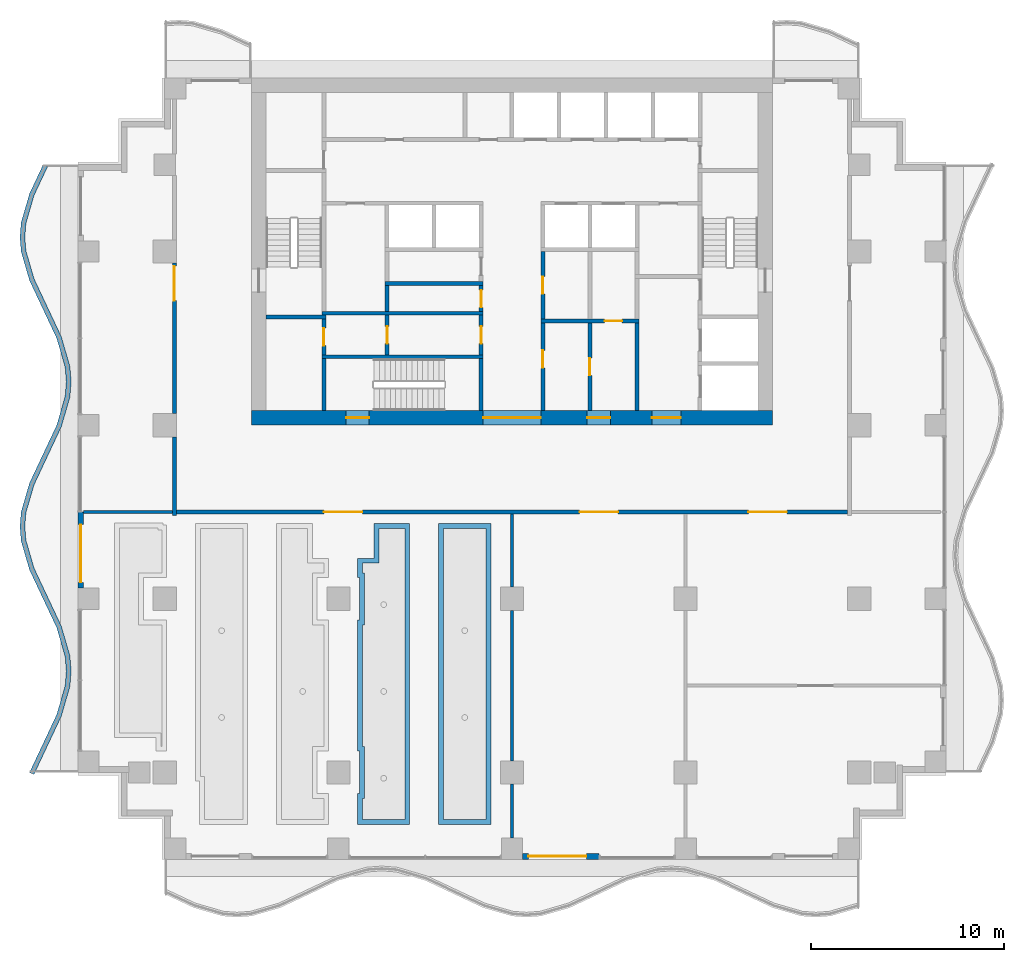
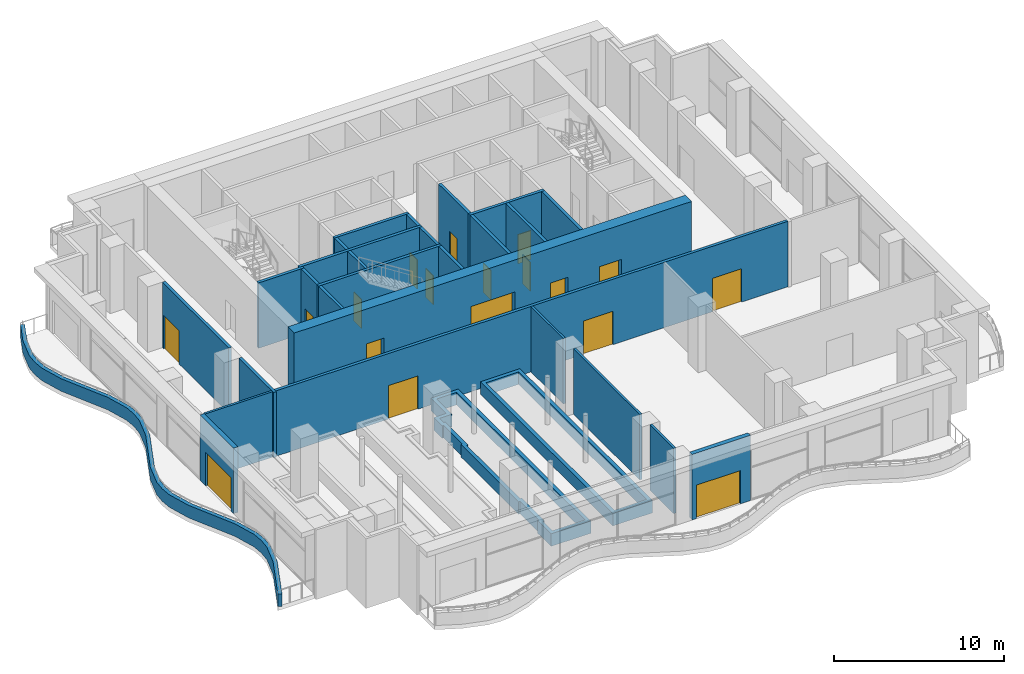
# One storey, part 8 of 16: 29 walls, 18 doors, 18 openings.
"""IFC4 building model written with IfcOpenShell, lengths in metres."""

from ifc_helpers import new_model, si_unit, direction, frame, frame_2d, origin, place, context, subcontext, project, spatial, polyline, rectangle, outline, extrude, material, layer, layer_set, type_object, element, fill, save


model = new_model("IFC4")

# Units and contexts
model_context = context("Model", 3, precision=1e-05, world=origin(), true_north=direction((0.0, 1.0)))
body_context = subcontext(model_context, "Body", "Model", "MODEL_VIEW")
ifc_project = project(units=[si_unit("LENGTHUNIT", "METRE"), si_unit("AREAUNIT", "SQUARE_METRE"), si_unit("VOLUMEUNIT", "CUBIC_METRE"), si_unit("PLANEANGLEUNIT", "RADIAN"), si_unit("MASSUNIT", "GRAM", prefix="KILO")], contexts=[model_context])

# Site, building, storey
site_placement = place(None, origin())
site = spatial("IfcSite", under=ifc_project, at=site_placement, CompositionType="ELEMENT")
building_placement = place(site_placement, origin())
building = spatial("IfcBuilding", under=site, at=building_placement, Name="Orbiselva Terraces", CompositionType="ELEMENT")
storey_placement = place(building_placement, frame((0.0, 0.0, 174.4)))
storey = spatial("IfcBuildingStorey", under=building, at=storey_placement, Name="L44", CompositionType="ELEMENT", Elevation=174.4)

# Wall, openings, doors
ifc_material_1 = material(Name="Concrete C80/95", Category="concrete")
ifc_layer_1 = layer(ifc_material_1, 0.75)
ifc_layer_set_1 = layer_set([ifc_layer_1], Name="Concrete C80/95")
wall_type_1 = type_object("IfcWallType", Name="CORE WALL 750", PredefinedType="SHEAR", material=ifc_layer_set_1)
wall_1_placement = place(storey_placement, frame((-13.5, 4.875, -0.3), z_axis=(0.0, 0.0, 1.0), x_axis=(1.0, 0.0, 0.0)))
wall_1 = element("IfcWall", 1, at=wall_1_placement, inside=storey, type_object=wall_type_1, Name="Core wall L44 south", PredefinedType="SHEAR", context=body_context, shape_type="SweptSolid", body=[
    extrude(rectangle(XDim=27.0, YDim=0.75, at=frame_2d((13.5, 0.0))), origin(), (0.0, 0.0, 1.0), 5.0),
])
opening_1_placement = place(wall_1_placement, frame((12.0, 0.0, 0.3)))
opening_1 = element("IfcOpeningElement", 2, at=opening_1_placement, cuts=wall_1, Name="Opening DL3000", PredefinedType="OPENING", context=body_context, shape_type="SweptSolid", body=[
    extrude(rectangle(XDim=3.0, YDim=2.4, at=frame_2d((1.5, 1.2))), frame((0.0, 0.385, 0.0), z_axis=(0.0, -1.0, 0.0), x_axis=(1.0, 0.0, 0.0)), (0.0, 0.0, 1.0), 0.77),
])
opening_2_placement = place(wall_1_placement, frame((4.9, 0.0, 0.3)))
opening_2 = element("IfcOpeningElement", 3, at=opening_2_placement, cuts=wall_1, Name="Opening DS1200", PredefinedType="OPENING", context=body_context, shape_type="SweptSolid", body=[
    extrude(rectangle(XDim=1.2, YDim=2.2, at=frame_2d((0.6, 1.1))), frame((0.0, 0.385, 0.0), z_axis=(0.0, -1.0, 0.0), x_axis=(1.0, 0.0, 0.0)), (0.0, 0.0, 1.0), 0.77),
])
opening_3_placement = place(wall_1_placement, frame((20.75, 0.0, 0.3)))
opening_3 = element("IfcOpeningElement", 4, at=opening_3_placement, cuts=wall_1, Name="Opening DF1500", PredefinedType="OPENING", context=body_context, shape_type="SweptSolid", body=[
    extrude(rectangle(XDim=1.5, YDim=2.2, at=frame_2d((0.75, 1.1))), frame((0.0, 0.385, 0.0), z_axis=(0.0, -1.0, 0.0), x_axis=(1.0, 0.0, 0.0)), (0.0, 0.0, 1.0), 0.77),
])
opening_4_placement = place(wall_1_placement, frame((17.4, 0.0, 0.3)))
opening_4 = element("IfcOpeningElement", 5, at=opening_4_placement, cuts=wall_1, Name="Opening DV1200", PredefinedType="OPENING", context=body_context, shape_type="SweptSolid", body=[
    extrude(rectangle(XDim=1.2, YDim=2.2, at=frame_2d((0.6, 1.1))), frame((0.0, 0.385, 0.0), z_axis=(0.0, -1.0, 0.0), x_axis=(1.0, 0.0, 0.0)), (0.0, 0.0, 1.0), 0.77),
])
ifc_material_2 = material(Name="Steel fire door", Category="steel")
door_type_1 = type_object("IfcDoorType", Name="FFL DOOR 1500", OperationType="DOUBLE_DOOR_SINGLE_SWING", PredefinedType="DOOR", material=ifc_material_2)
door_1_placement = place(opening_3_placement, frame((1.5, 0.0, 0.0), z_axis=(0.0, 0.0, 1.0), x_axis=(-1.0, 0.0, 0.0)))
door_1 = element("IfcDoor", 6, at=door_1_placement, inside=storey, type_object=door_type_1, Name="L44 FIRE-FIGHTING LOBBY door", OperationType="DOUBLE_DOOR_SINGLE_SWING", OverallHeight=2.2, OverallWidth=1.5, PredefinedType="DOOR", context=body_context, shape_type="SweptSolid", body=[
    extrude(rectangle(XDim=1.5, YDim=2.2, at=frame_2d((0.75, 1.1))), frame((0.0, 0.025, 0.0), z_axis=(0.0, -1.0, 0.0), x_axis=(1.0, 0.0, 0.0)), (0.0, 0.0, 1.0), 0.05),
])
fill(opening_3, door_1)
door_type_2 = type_object("IfcDoorType", Name="LOBBY DOOR 3000", OperationType="DOUBLE_DOOR_SINGLE_SWING", PredefinedType="DOOR", material=ifc_material_2)
door_2_placement = place(opening_1_placement, frame((3.0, 0.0, 0.0), z_axis=(0.0, 0.0, 1.0), x_axis=(-1.0, 0.0, 0.0)))
door_2 = element("IfcDoor", 7, at=door_2_placement, inside=storey, type_object=door_type_2, Name="L44 LIFT LOBBY door", OperationType="DOUBLE_DOOR_SINGLE_SWING", OverallHeight=2.4, OverallWidth=3.0, PredefinedType="DOOR", context=body_context, shape_type="SweptSolid", body=[
    extrude(rectangle(XDim=3.0, YDim=2.4, at=frame_2d((1.5, 1.2))), frame((0.0, 0.025, 0.0), z_axis=(0.0, -1.0, 0.0), x_axis=(1.0, 0.0, 0.0)), (0.0, 0.0, 1.0), 0.05),
])
fill(opening_1, door_2)
door_type_3 = type_object("IfcDoorType", Name="SERVICE DOOR 1200", OperationType="NOTDEFINED", PredefinedType="DOOR", material=ifc_material_2)
door_3_placement = place(opening_4_placement, frame((1.2, 0.0, 0.0), z_axis=(0.0, 0.0, 1.0), x_axis=(-1.0, 0.0, 0.0)))
door_3 = element("IfcDoor", 8, at=door_3_placement, inside=storey, type_object=door_type_3, Name="L44 SPARE PARTS STORE door", OperationType="SINGLE_SWING_RIGHT", OverallHeight=2.2, OverallWidth=1.2, PredefinedType="DOOR", context=body_context, shape_type="SweptSolid", body=[
    extrude(rectangle(XDim=1.2, YDim=2.2, at=frame_2d((0.6, 1.1))), frame((0.0, 0.025, 0.0), z_axis=(0.0, -1.0, 0.0), x_axis=(1.0, 0.0, 0.0)), (0.0, 0.0, 1.0), 0.05),
])
fill(opening_4, door_3)
door_type_4 = type_object("IfcDoorType", Name="STAIR DOOR 1200", OperationType="NOTDEFINED", PredefinedType="DOOR", material=ifc_material_2)
door_4_placement = place(opening_2_placement, frame((1.2, 0.0, 0.0), z_axis=(0.0, 0.0, 1.0), x_axis=(-1.0, 0.0, 0.0)))
door_4 = element("IfcDoor", 9, at=door_4_placement, inside=storey, type_object=door_type_4, Name="L44 EXIT STAIR S3 door", OperationType="SINGLE_SWING_LEFT", OverallHeight=2.2, OverallWidth=1.2, PredefinedType="DOOR", context=body_context, shape_type="SweptSolid", body=[
    extrude(rectangle(XDim=1.2, YDim=2.2, at=frame_2d((0.6, 1.1))), frame((0.0, 0.025, 0.0), z_axis=(0.0, -1.0, 0.0), x_axis=(1.0, 0.0, 0.0)), (0.0, 0.0, 1.0), 0.05),
])
fill(opening_2, door_4)

# Wall, opening, door
ifc_material_3 = material(Name="Masonry blockwork", Category="masonry")
ifc_layer_2 = layer(ifc_material_3, 0.2)
ifc_layer_set_2 = layer_set([ifc_layer_2], Name="Masonry blockwork")
wall_type_2 = type_object("IfcWallType", Name="CORE-WALL-PARTITION-200", PredefinedType="PARTITIONING", material=ifc_layer_set_2)
wall_2_placement = place(storey_placement, frame((-9.75, 8.15, 0.0), z_axis=(0.0, 0.0, 1.0), x_axis=(0.0, 1.0, 0.0)))
wall_2 = element("IfcWall", 10, at=wall_2_placement, inside=storey, type_object=wall_type_2, Name="L44 core wall 05", PredefinedType="PARTITIONING", context=body_context, shape_type="SweptSolid", body=[
    extrude(rectangle(XDim=1.85, YDim=0.2, at=frame_2d((0.925, 0.0))), origin(), (0.0, 0.0, 1.0), 4.7),
])
opening_5_placement = place(wall_2_placement, frame((0.475, 0.0, 0.0)))
opening_5 = element("IfcOpeningElement", 11, at=opening_5_placement, cuts=wall_2, Name="Opening DR900", PredefinedType="OPENING", context=body_context, shape_type="SweptSolid", body=[
    extrude(rectangle(XDim=0.9, YDim=2.1, at=frame_2d((0.45, 1.05))), frame((0.0, 0.11, 0.0), z_axis=(0.0, -1.0, 0.0), x_axis=(1.0, 0.0, 0.0)), (0.0, 0.0, 1.0), 0.22),
])
door_type_5 = type_object("IfcDoorType", Name="ROOM DOOR 900", OperationType="NOTDEFINED", PredefinedType="DOOR", material=ifc_material_2)
door_5_placement = place(opening_5_placement, origin())
door_5 = element("IfcDoor", 12, at=door_5_placement, inside=storey, type_object=door_type_5, Name="L44 ACCESSIBLE WC door", OperationType="SINGLE_SWING_RIGHT", OverallHeight=2.1, OverallWidth=0.9, PredefinedType="DOOR", context=body_context, shape_type="SweptSolid", body=[
    extrude(rectangle(XDim=0.9, YDim=2.1, at=frame_2d((0.45, 1.05))), frame((0.0, 0.025, 0.0), z_axis=(0.0, -1.0, 0.0), x_axis=(1.0, 0.0, 0.0)), (0.0, 0.0, 1.0), 0.05),
])
fill(opening_5, door_5)

wall_3_placement = place(storey_placement, frame((-6.475, 8.15, 0.0), z_axis=(0.0, 0.0, 1.0), x_axis=(0.0, 1.0, 0.0)))
wall_3 = element("IfcWall", 13, at=wall_3_placement, inside=storey, type_object=wall_type_2, Name="L44 core wall 13", PredefinedType="PARTITIONING", context=body_context, shape_type="SweptSolid", body=[
    extrude(rectangle(XDim=2.05, YDim=0.2, at=frame_2d((1.025, 0.0))), origin(), (0.0, 0.0, 1.0), 4.7),
])
opening_6_placement = place(wall_3_placement, frame((0.575, 0.0, 0.0)))
opening_6 = element("IfcOpeningElement", 14, at=opening_6_placement, cuts=wall_3, Name="Opening DR900", PredefinedType="OPENING", context=body_context, shape_type="SweptSolid", body=[
    extrude(rectangle(XDim=0.9, YDim=2.1, at=frame_2d((0.45, 1.05))), frame((0.0, 0.11, 0.0), z_axis=(0.0, -1.0, 0.0), x_axis=(1.0, 0.0, 0.0)), (0.0, 0.0, 1.0), 0.22),
])
door_6_placement = place(opening_6_placement, origin())
door_6 = element("IfcDoor", 15, at=door_6_placement, inside=storey, type_object=door_type_5, Name="L44 CLEANERS STORE door", OperationType="SINGLE_SWING_RIGHT", OverallHeight=2.1, OverallWidth=0.9, PredefinedType="DOOR", context=body_context, shape_type="SweptSolid", body=[
    extrude(rectangle(XDim=0.9, YDim=2.1, at=frame_2d((0.45, 1.05))), frame((0.0, 0.025, 0.0), z_axis=(0.0, -1.0, 0.0), x_axis=(1.0, 0.0, 0.0)), (0.0, 0.0, 1.0), 0.05),
])
fill(opening_6, door_6)

# Wall
wall_4_placement = place(storey_placement, frame((-6.475, 10.4, 0.0), z_axis=(0.0, 0.0, 1.0), x_axis=(0.0, 1.0, 0.0)))
element("IfcWall", 16, at=wall_4_placement, inside=storey, type_object=wall_type_2, Name="L44 core wall 14", PredefinedType="PARTITIONING", context=body_context, shape_type="SweptSolid", body=[
    extrude(rectangle(XDim=1.35, YDim=0.2, at=frame_2d((0.675, 0.0))), origin(), (0.0, 0.0, 1.0), 4.7),
])

# Wall, opening, door
wall_5_placement = place(storey_placement, frame((-1.6, 8.15, 0.0), z_axis=(0.0, 0.0, 1.0), x_axis=(0.0, 1.0, 0.0)))
wall_5 = element("IfcWall", 17, at=wall_5_placement, inside=storey, type_object=wall_type_2, Name="L44 core wall 22", PredefinedType="PARTITIONING", context=body_context, shape_type="SweptSolid", body=[
    extrude(rectangle(XDim=2.05, YDim=0.2, at=frame_2d((1.025, 0.0))), origin(), (0.0, 0.0, 1.0), 4.7),
])
opening_7_placement = place(wall_5_placement, frame((0.575, 0.0, 0.0)))
opening_7 = element("IfcOpeningElement", 18, at=opening_7_placement, cuts=wall_5, Name="Opening DR900", PredefinedType="OPENING", context=body_context, shape_type="SweptSolid", body=[
    extrude(rectangle(XDim=0.9, YDim=2.1, at=frame_2d((0.45, 1.05))), frame((0.0, 0.11, 0.0), z_axis=(0.0, -1.0, 0.0), x_axis=(1.0, 0.0, 0.0)), (0.0, 0.0, 1.0), 0.22),
])
door_7_placement = place(opening_7_placement, origin())
door_7 = element("IfcDoor", 19, at=door_7_placement, inside=storey, type_object=door_type_5, Name="L44 COMMS ROOM door", OperationType="SINGLE_SWING_RIGHT", OverallHeight=2.1, OverallWidth=0.9, PredefinedType="DOOR", context=body_context, shape_type="SweptSolid", body=[
    extrude(rectangle(XDim=0.9, YDim=2.1, at=frame_2d((0.45, 1.05))), frame((0.0, 0.025, 0.0), z_axis=(0.0, -1.0, 0.0), x_axis=(1.0, 0.0, 0.0)), (0.0, 0.0, 1.0), 0.05),
])
fill(opening_7, door_7)

wall_6_placement = place(storey_placement, frame((-1.6, 10.4, 0.0), z_axis=(0.0, 0.0, 1.0), x_axis=(0.0, 1.0, 0.0)))
wall_6 = element("IfcWall", 20, at=wall_6_placement, inside=storey, type_object=wall_type_2, Name="L44 core wall 23", PredefinedType="PARTITIONING", context=body_context, shape_type="SweptSolid", body=[
    extrude(rectangle(XDim=1.35, YDim=0.2, at=frame_2d((0.675, 0.0))), origin(), (0.0, 0.0, 1.0), 4.7),
])
opening_8_placement = place(wall_6_placement, frame((0.2, 0.0, 0.0)))
opening_8 = element("IfcOpeningElement", 21, at=opening_8_placement, cuts=wall_6, Name="Opening DR900", PredefinedType="OPENING", context=body_context, shape_type="SweptSolid", body=[
    extrude(rectangle(XDim=0.9, YDim=2.1, at=frame_2d((0.45, 1.05))), frame((0.0, 0.11, 0.0), z_axis=(0.0, -1.0, 0.0), x_axis=(1.0, 0.0, 0.0)), (0.0, 0.0, 1.0), 0.22),
])
door_8_placement = place(opening_8_placement, origin())
door_8 = element("IfcDoor", 22, at=door_8_placement, inside=storey, type_object=door_type_5, Name="L44 BUILDING STORE door", OperationType="SINGLE_SWING_LEFT", OverallHeight=2.1, OverallWidth=0.9, PredefinedType="DOOR", context=body_context, shape_type="SweptSolid", body=[
    extrude(rectangle(XDim=0.9, YDim=2.1, at=frame_2d((0.45, 1.05))), frame((0.0, 0.025, 0.0), z_axis=(0.0, -1.0, 0.0), x_axis=(1.0, 0.0, 0.0)), (0.0, 0.0, 1.0), 0.05),
])
fill(opening_8, door_8)

wall_7_placement = place(storey_placement, frame((4.0375, 9.8, 0.0), z_axis=(0.0, 0.0, 1.0), x_axis=(0.0, -1.0, 0.0)))
wall_7 = element("IfcWall", 23, at=wall_7_placement, inside=storey, type_object=wall_type_2, Name="L44 core wall 34", PredefinedType="PARTITIONING", context=body_context, shape_type="SweptSolid", body=[
    extrude(rectangle(XDim=4.55, YDim=0.2, at=frame_2d((2.275, 0.0))), origin(), (0.0, 0.0, 1.0), 4.7),
])
opening_9_placement = place(wall_7_placement, frame((1.825, 0.0, 0.0)))
opening_9 = element("IfcOpeningElement", 24, at=opening_9_placement, cuts=wall_7, Name="Opening DR900", PredefinedType="OPENING", context=body_context, shape_type="SweptSolid", body=[
    extrude(rectangle(XDim=0.9, YDim=2.1, at=frame_2d((0.45, 1.05))), frame((0.0, 0.11, 0.0), z_axis=(0.0, -1.0, 0.0), x_axis=(1.0, 0.0, 0.0)), (0.0, 0.0, 1.0), 0.22),
])
door_9_placement = place(opening_9_placement, origin())
door_9 = element("IfcDoor", 25, at=door_9_placement, inside=storey, type_object=door_type_5, Name="L44 SPARE PARTS STORE door", OperationType="SINGLE_SWING_LEFT", OverallHeight=2.1, OverallWidth=0.9, PredefinedType="DOOR", context=body_context, shape_type="SweptSolid", body=[
    extrude(rectangle(XDim=0.9, YDim=2.1, at=frame_2d((0.45, 1.05))), frame((0.0, 0.025, 0.0), z_axis=(0.0, -1.0, 0.0), x_axis=(1.0, 0.0, 0.0)), (0.0, 0.0, 1.0), 0.05),
])
fill(opening_9, door_9)

# Walls
ifc_material_4 = material(Name="Concrete C60/75", Category="concrete")
ifc_layer_3 = layer(ifc_material_4, 0.2)
ifc_layer_set_3 = layer_set([ifc_layer_3], Name="Concrete C60/75")
wall_type_3 = type_object("IfcWallType", Name="CORE-WALL-SHEAR-200", PredefinedType="SHEAR", material=ifc_layer_set_3)
wall_8_placement = place(storey_placement, frame((-12.75, 10.1, 0.0), z_axis=(0.0, 0.0, 1.0), x_axis=(1.0, 0.0, 0.0)))
element("IfcWall", 26, at=wall_8_placement, inside=storey, type_object=wall_type_3, Name="L44 core wall 01", PredefinedType="SHEAR", context=body_context, shape_type="SweptSolid", body=[
    extrude(rectangle(XDim=3.1, YDim=0.2, at=frame_2d((1.55, 0.0))), origin(), (0.0, 0.0, 1.0), 4.7),
])
wall_9_placement = place(storey_placement, frame((-9.75, 5.25, 0.0), z_axis=(0.0, 0.0, 1.0), x_axis=(0.0, 1.0, 0.0)))
element("IfcWall", 27, at=wall_9_placement, inside=storey, type_object=wall_type_3, Name="L44 core wall 03", PredefinedType="SHEAR", context=body_context, shape_type="SweptSolid", body=[
    extrude(rectangle(XDim=2.7, YDim=0.2, at=frame_2d((1.35, 0.0))), origin(), (0.0, 0.0, 1.0), 4.7),
])
for number, where, z_axis, x_axis, name in (
    (28, (-9.85, 8.05, 0.0), (0.0, 0.0, 1.0), (1.0, 0.0, 0.0), "L44 core wall 04"),
    (29, (-9.85, 10.3, 0.0), (0.0, 0.0, 1.0), (1.0, 0.0, 0.0), "L44 core wall 06"),
):
    element("IfcWall", number, at=place(storey_placement, frame(where, z_axis=z_axis, x_axis=x_axis)), inside=storey, type_object=wall_type_3, Name=name, PredefinedType="SHEAR", context=body_context, shape_type="SweptSolid", body=[
        extrude(rectangle(XDim=8.35, YDim=0.2, at=frame_2d((4.175, 0.0))), origin(), (0.0, 0.0, 1.0), 4.7),
    ])
wall_10_placement = place(storey_placement, frame((-6.575, 11.85, 0.0), z_axis=(0.0, 0.0, 1.0), x_axis=(1.0, 0.0, 0.0)))
element("IfcWall", 30, at=wall_10_placement, inside=storey, type_object=wall_type_3, Name="L44 core wall 15", PredefinedType="SHEAR", context=body_context, shape_type="SweptSolid", body=[
    extrude(rectangle(XDim=5.075, YDim=0.2, at=frame_2d((2.5375, 0.0))), origin(), (0.0, 0.0, 1.0), 4.7),
])
wall_11_placement = place(storey_placement, frame((-1.6, 5.25, 0.0), z_axis=(0.0, 0.0, 1.0), x_axis=(0.0, 1.0, 0.0)))
element("IfcWall", 31, at=wall_11_placement, inside=storey, type_object=wall_type_3, Name="L44 core wall 21", PredefinedType="SHEAR", context=body_context, shape_type="SweptSolid", body=[
    extrude(rectangle(XDim=2.7, YDim=0.2, at=frame_2d((1.35, 0.0))), origin(), (0.0, 0.0, 1.0), 4.7),
])

# Wall, opening, door
wall_12_placement = place(storey_placement, frame((1.6, 9.8, 0.0), z_axis=(0.0, 0.0, 1.0), x_axis=(0.0, -1.0, 0.0)))
wall_12 = element("IfcWall", 32, at=wall_12_placement, inside=storey, type_object=wall_type_3, Name="L44 core wall 27", PredefinedType="SHEAR", context=body_context, shape_type="SweptSolid", body=[
    extrude(rectangle(XDim=4.55, YDim=0.2, at=frame_2d((2.275, 0.0))), origin(), (0.0, 0.0, 1.0), 4.7),
])
opening_10_placement = place(wall_12_placement, frame((1.425, 0.0, 0.0)))
opening_10 = element("IfcOpeningElement", 33, at=opening_10_placement, cuts=wall_12, Name="Opening DR900", PredefinedType="OPENING", context=body_context, shape_type="SweptSolid", body=[
    extrude(rectangle(XDim=0.9, YDim=2.1, at=frame_2d((0.45, 1.05))), frame((0.0, 0.11, 0.0), z_axis=(0.0, -1.0, 0.0), x_axis=(1.0, 0.0, 0.0)), (0.0, 0.0, 1.0), 0.22),
])
door_10_placement = place(opening_10_placement, origin())
door_10 = element("IfcDoor", 34, at=door_10_placement, inside=storey, type_object=door_type_5, Name="L44 ELECTRICAL ROOM door", OperationType="SINGLE_SWING_LEFT", OverallHeight=2.1, OverallWidth=0.9, PredefinedType="DOOR", context=body_context, shape_type="SweptSolid", body=[
    extrude(rectangle(XDim=0.9, YDim=2.1, at=frame_2d((0.45, 1.05))), frame((0.0, 0.025, 0.0), z_axis=(0.0, -1.0, 0.0), x_axis=(1.0, 0.0, 0.0)), (0.0, 0.0, 1.0), 0.05),
])
fill(opening_10, door_10)

wall_13_placement = place(storey_placement, frame((1.5, 9.9, 0.0), z_axis=(0.0, 0.0, 1.0), x_axis=(1.0, 0.0, 0.0)))
wall_13 = element("IfcWall", 35, at=wall_13_placement, inside=storey, type_object=wall_type_3, Name="L44 core wall 28", PredefinedType="SHEAR", context=body_context, shape_type="SweptSolid", body=[
    extrude(rectangle(XDim=5.075, YDim=0.2, at=frame_2d((2.5375, 0.0))), origin(), (0.0, 0.0, 1.0), 4.7),
])
opening_11_placement = place(wall_13_placement, frame((3.3062, 0.0, 0.0)))
opening_11 = element("IfcOpeningElement", 36, at=opening_11_placement, cuts=wall_13, Name="Opening DR900", PredefinedType="OPENING", context=body_context, shape_type="SweptSolid", body=[
    extrude(rectangle(XDim=0.9, YDim=2.1, at=frame_2d((0.45, 1.05))), frame((0.0, 0.11, 0.0), z_axis=(0.0, -1.0, 0.0), x_axis=(1.0, 0.0, 0.0)), (0.0, 0.0, 1.0), 0.22),
])
door_11_placement = place(opening_11_placement, origin())
door_11 = element("IfcDoor", 37, at=door_11_placement, inside=storey, type_object=door_type_5, Name="L44 LINEN STORE door", OperationType="SINGLE_SWING_RIGHT", OverallHeight=2.1, OverallWidth=0.9, PredefinedType="DOOR", context=body_context, shape_type="SweptSolid", body=[
    extrude(rectangle(XDim=0.9, YDim=2.1, at=frame_2d((0.45, 1.05))), frame((0.0, 0.025, 0.0), z_axis=(0.0, -1.0, 0.0), x_axis=(1.0, 0.0, 0.0)), (0.0, 0.0, 1.0), 0.05),
])
fill(opening_11, door_11)

wall_14_placement = place(storey_placement, frame((1.6, 13.5, 0.0), z_axis=(0.0, 0.0, 1.0), x_axis=(0.0, -1.0, 0.0)))
wall_14 = element("IfcWall", 38, at=wall_14_placement, inside=storey, type_object=wall_type_3, Name="L44 core wall 29", PredefinedType="SHEAR", context=body_context, shape_type="SweptSolid", body=[
    extrude(rectangle(XDim=3.5, YDim=0.2, at=frame_2d((1.75, 0.0))), origin(), (0.0, 0.0, 1.0), 4.7),
])
opening_12_placement = place(wall_14_placement, frame((1.3, 0.0, 0.0)))
opening_12 = element("IfcOpeningElement", 39, at=opening_12_placement, cuts=wall_14, Name="Opening DR900", PredefinedType="OPENING", context=body_context, shape_type="SweptSolid", body=[
    extrude(rectangle(XDim=0.9, YDim=2.1, at=frame_2d((0.45, 1.05))), frame((0.0, 0.11, 0.0), z_axis=(0.0, -1.0, 0.0), x_axis=(1.0, 0.0, 0.0)), (0.0, 0.0, 1.0), 0.22),
])
door_12_placement = place(opening_12_placement, origin())
door_12 = element("IfcDoor", 40, at=door_12_placement, inside=storey, type_object=door_type_5, Name="L44 COMMS ROOM door", OperationType="SINGLE_SWING_RIGHT", OverallHeight=2.1, OverallWidth=0.9, PredefinedType="DOOR", context=body_context, shape_type="SweptSolid", body=[
    extrude(rectangle(XDim=0.9, YDim=2.1, at=frame_2d((0.45, 1.05))), frame((0.0, 0.025, 0.0), z_axis=(0.0, -1.0, 0.0), x_axis=(1.0, 0.0, 0.0)), (0.0, 0.0, 1.0), 0.05),
])
fill(opening_12, door_12)

# Walls
wall_15_placement = place(storey_placement, frame((6.475, 5.25, 0.0), z_axis=(0.0, 0.0, 1.0), x_axis=(0.0, 1.0, 0.0)))
element("IfcWall", 41, at=wall_15_placement, inside=storey, type_object=wall_type_3, Name="L44 core wall 38", PredefinedType="SHEAR", context=body_context, shape_type="SweptSolid", body=[
    extrude(rectangle(XDim=4.55, YDim=0.2, at=frame_2d((2.275, 0.0))), origin(), (0.0, 0.0, 1.0), 4.7),
])
ifc_material_5 = material(Name="Concrete C40/50", Category="concrete")
ifc_layer_4 = layer(ifc_material_5, 0.25)
ifc_layer_set_4 = layer_set([ifc_layer_4], Name="Concrete C40/50")
wall_type_4 = type_object("IfcWallType", Name="ENV-GARDEN-BED-250x900", PredefinedType="USERDEFINED", material=ifc_layer_set_4)
wall_16_placement = place(storey_placement, origin())
element("IfcWall", 42, at=wall_16_placement, inside=storey, type_object=wall_type_4, Name="Planter L44 Planting bed 1", ObjectType="PLANTER", PredefinedType="USERDEFINED", context=body_context, shape_type="SweptSolid", body=[
    extrude(outline(polyline([(-5.3, -16.2), (-5.3, -0.6), (-7.15, -0.6), (-7.15, -2.4), (-8.0, -2.4), (-8.0, -3.4), (-7.9, -3.4), (-7.9, -5.6), (-8.0, -5.6), (-8.0, -12.4), (-7.9, -12.4), (-7.9, -14.6), (-8.0, -14.6), (-8.0, -16.2), (-5.3, -16.2)]), holes=[polyline([(-7.75, -15.95), (-7.75, -14.85), (-7.65, -14.85), (-7.65, -12.15), (-7.75, -12.15), (-7.75, -5.85), (-7.65, -5.85), (-7.65, -3.15), (-7.75, -3.15), (-7.75, -2.65), (-6.9, -2.65), (-6.9, -0.85), (-5.55, -0.85), (-5.55, -15.95), (-7.75, -15.95)])]), origin(), (0.0, 0.0, 1.0), 0.9),
])
wall_17_placement = place(storey_placement, origin())
element("IfcWall", 43, at=wall_17_placement, inside=storey, type_object=wall_type_4, Name="Planter L44 Planting bed 3", ObjectType="PLANTER", PredefinedType="USERDEFINED", context=body_context, shape_type="SweptSolid", body=[
    extrude(outline(polyline([(-1.1, -16.2), (-1.1, -14.6), (-1.1, -12.4), (-1.1, -5.6), (-1.1, -3.4), (-1.1, -0.6), (-3.8, -0.6), (-3.8, -16.2), (-1.1, -16.2)]), holes=[polyline([(-3.55, -15.95), (-3.55, -0.85), (-1.35, -0.85), (-1.35, -3.4), (-1.35, -5.6), (-1.35, -12.4), (-1.35, -14.6), (-1.35, -15.95), (-3.55, -15.95)])]), origin(), (0.0, 0.0, 1.0), 0.9),
])
ifc_layer_5 = layer(ifc_material_5, 0.25)
ifc_layer_set_5 = layer_set([ifc_layer_5], Name="Concrete C40/50")
wall_type_5 = type_object("IfcWallType", Name="ENV-PLANTER-250x900", PredefinedType="USERDEFINED", material=ifc_layer_set_5)
wall_18_placement = place(storey_placement, origin())
element("IfcWall", 44, at=wall_18_placement, inside=storey, type_object=wall_type_5, Name="Balcony planter L44 W", ObjectType="PLANTER", PredefinedType="USERDEFINED", context=body_context, shape_type="SweptSolid", body=[
    extrude(outline(polyline([(-24.3, 18.0), (-25.005342, 16.5), (-25.441268, 15.0), (-25.5, 14.25), (-25.441268, 13.5), (-25.005342, 12.0), (-24.3, 10.5), (-23.594658, 9.0), (-23.158732, 7.5), (-23.1, 6.75), (-23.158732, 6.0), (-23.594658, 4.5), (-24.3, 3.0), (-25.005342, 1.5), (-25.441268, 0.0), (-25.5, -0.75), (-25.441268, -1.5), (-25.005342, -3.0), (-24.3, -4.5), (-23.594658, -6.0), (-23.158732, -7.5), (-23.1, -8.25), (-23.158732, -9.0), (-23.594658, -10.5), (-24.3, -12.0), (-25.005342, -13.5), (-24.779106, -13.606383), (-24.073764, -12.106383), (-23.360069, -10.588618), (-22.911499, -9.045114), (-22.849235, -8.25), (-22.911499, -7.454886), (-23.360069, -5.911382), (-24.073764, -4.393617), (-24.770753, -2.911382), (-25.194035, -1.454886), (-25.249235, -0.75), (-25.194035, -0.045114), (-24.770753, 1.411382), (-24.073764, 2.893617), (-23.360069, 4.411382), (-22.911499, 5.954886), (-22.849235, 6.75), (-22.911499, 7.545114), (-23.360069, 9.088618), (-24.073764, 10.606383), (-24.770753, 12.088618), (-25.194035, 13.545114), (-25.249235, 14.25), (-25.194035, 14.954886), (-24.770753, 16.411382), (-24.073764, 17.893617), (-24.3, 18.0)])), origin(), (0.0, 0.0, 1.0), 0.9),
])

# Wall, opening, door
ifc_material_6 = material(Name="Terracotta cladding on masonry backing", Category="masonry")
ifc_layer_6 = layer(ifc_material_6, 0.3)
ifc_layer_set_6 = layer_set([ifc_layer_6], Name="Terracotta cladding on masonry backing")
wall_type_6 = type_object("IfcWallType", Name="ENV-WALL-TERRACOTTA-300", PredefinedType="SOLIDWALL", material=ifc_layer_set_6)
wall_19_placement = place(storey_placement, frame((4.5, -17.85, 0.0), z_axis=(0.0, 0.0, 1.0), x_axis=(-1.0, 0.0, 0.0)))
wall_19 = element("IfcWall", 45, at=wall_19_placement, inside=storey, type_object=wall_type_6, Name="Facade wall L44 S", PredefinedType="SOLIDWALL", context=body_context, shape_type="SweptSolid", body=[
    extrude(rectangle(XDim=3.95, YDim=0.3, at=frame_2d((1.975, 0.0))), origin(), (0.0, 0.0, 1.0), 4.7),
])
opening_13_placement = place(wall_19_placement, frame((0.65, 0.0, 0.0)))
opening_13 = element("IfcOpeningElement", 46, at=opening_13_placement, cuts=wall_19, Name="Opening SKY-3-E02", PredefinedType="OPENING", context=body_context, shape_type="SweptSolid", body=[
    extrude(rectangle(XDim=3.0, YDim=2.4, at=frame_2d((1.5, 1.2))), frame((0.0, 0.16, 0.0), z_axis=(0.0, -1.0, 0.0), x_axis=(1.0, 0.0, 0.0)), (0.0, 0.0, 1.0), 0.32),
])
ifc_material_7 = material(Name="Clear low-e glazing in aluminium frame", Category="aluminium")
door_type_6 = type_object("IfcDoorType", Name="BALCONY DOOR 3000 X 2400", OperationType="DOUBLE_DOOR_SLIDING", PredefinedType="DOOR", material=ifc_material_7)
door_13_placement = place(opening_13_placement, origin())
door_13 = element("IfcDoor", 47, at=door_13_placement, inside=storey, type_object=door_type_6, Name="SKY-3-E02", OperationType="SINGLE_SWING_LEFT", OverallHeight=2.4, OverallWidth=3.0, PredefinedType="DOOR", context=body_context, shape_type="SweptSolid", body=[
    extrude(rectangle(XDim=3.0, YDim=2.4, at=frame_2d((1.5, 1.2))), frame((0.0, 0.025, 0.0), z_axis=(0.0, -1.0, 0.0), x_axis=(1.0, 0.0, 0.0)), (0.0, 0.0, 1.0), 0.05),
])
fill(opening_13, door_13)

wall_20_placement = place(storey_placement, frame((-22.35, -3.95, 0.0), z_axis=(0.0, 0.0, 1.0), x_axis=(0.0, 1.0, 0.0)))
wall_20 = element("IfcWall", 48, at=wall_20_placement, inside=storey, type_object=wall_type_6, Name="Facade wall L44 W", PredefinedType="SOLIDWALL", context=body_context, shape_type="SweptSolid", body=[
    extrude(rectangle(XDim=3.95, YDim=0.3, at=frame_2d((1.975, 0.0))), origin(), (0.0, 0.0, 1.0), 4.7),
])
opening_14_placement = place(wall_20_placement, frame((0.3, 0.0, 0.0)))
opening_14 = element("IfcOpeningElement", 49, at=opening_14_placement, cuts=wall_20, Name="Opening SKY-3-E09", PredefinedType="OPENING", context=body_context, shape_type="SweptSolid", body=[
    extrude(rectangle(XDim=3.0, YDim=2.4, at=frame_2d((1.5, 1.2))), frame((0.0, 0.16, 0.0), z_axis=(0.0, -1.0, 0.0), x_axis=(1.0, 0.0, 0.0)), (0.0, 0.0, 1.0), 0.32),
])
door_14_placement = place(opening_14_placement, origin())
door_14 = element("IfcDoor", 50, at=door_14_placement, inside=storey, type_object=door_type_6, Name="SKY-3-E09", OperationType="SINGLE_SWING_LEFT", OverallHeight=2.4, OverallWidth=3.0, PredefinedType="DOOR", context=body_context, shape_type="SweptSolid", body=[
    extrude(rectangle(XDim=3.0, YDim=2.4, at=frame_2d((1.5, 1.2))), frame((0.0, 0.025, 0.0), z_axis=(0.0, -1.0, 0.0), x_axis=(1.0, 0.0, 0.0)), (0.0, 0.0, 1.0), 0.05),
])
fill(opening_14, door_14)

# Wall, openings, doors
ifc_material_8 = material(Name="Plasterboard on steel stud partition", Category="steel")
ifc_layer_7 = layer(ifc_material_8, 0.2)
ifc_layer_set_7 = layer_set([ifc_layer_7], Name="Plasterboard on steel stud partition")
wall_type_7 = type_object("IfcWallType", Name="UNIT-ENTRANCE-WALL-200", PredefinedType="PARTITIONING", material=ifc_layer_set_7)
wall_21_placement = place(storey_placement, frame((-17.4, 0.0, 0.0), z_axis=(0.0, 0.0, 1.0), x_axis=(1.0, 0.0, 0.0)))
wall_21 = element("IfcWall", 51, at=wall_21_placement, inside=storey, type_object=wall_type_7, Name="PARTITION L44-002", PredefinedType="PARTITIONING", context=body_context, shape_type="SweptSolid", body=[
    extrude(rectangle(XDim=34.8, YDim=0.2, at=frame_2d((17.4, 0.0))), origin(), (0.0, 0.0, 1.0), 4.7),
])
opening_15_placement = place(wall_21_placement, frame((7.65, 0.0, 0.0)))
opening_15 = element("IfcOpeningElement", 52, at=opening_15_placement, cuts=wall_21, Name="Opening SKY-3-01", PredefinedType="OPENING", context=body_context, shape_type="SweptSolid", body=[
    extrude(rectangle(XDim=2.0, YDim=2.4, at=frame_2d((1.0, 1.2))), frame((0.0, 0.11, 0.0), z_axis=(0.0, -1.0, 0.0), x_axis=(1.0, 0.0, 0.0)), (0.0, 0.0, 1.0), 0.22),
])
opening_16_placement = place(wall_21_placement, frame((20.9, 0.0, 0.0)))
opening_16 = element("IfcOpeningElement", 53, at=opening_16_placement, cuts=wall_21, Name="Opening SKY-3-02", PredefinedType="OPENING", context=body_context, shape_type="SweptSolid", body=[
    extrude(rectangle(XDim=2.0, YDim=2.4, at=frame_2d((1.0, 1.2))), frame((0.0, 0.11, 0.0), z_axis=(0.0, -1.0, 0.0), x_axis=(1.0, 0.0, 0.0)), (0.0, 0.0, 1.0), 0.22),
])
opening_17_placement = place(wall_21_placement, frame((29.65, 0.0, 0.0)))
opening_17 = element("IfcOpeningElement", 54, at=opening_17_placement, cuts=wall_21, Name="Opening SKY-3-03", PredefinedType="OPENING", context=body_context, shape_type="SweptSolid", body=[
    extrude(rectangle(XDim=2.0, YDim=2.4, at=frame_2d((1.0, 1.2))), frame((0.0, 0.11, 0.0), z_axis=(0.0, -1.0, 0.0), x_axis=(1.0, 0.0, 0.0)), (0.0, 0.0, 1.0), 0.22),
])
ifc_material_9 = material(Name="Painted timber door leaf", Category="wood")
door_type_7 = type_object("IfcDoorType", Name="AMENITY DOUBLE DOOR 2000", OperationType="NOTDEFINED", PredefinedType="DOOR", material=ifc_material_9)
door_15_placement = place(opening_15_placement, origin())
door_15 = element("IfcDoor", 55, at=door_15_placement, inside=storey, type_object=door_type_7, Name="SKY-3-01", OperationType="DOUBLE_DOOR_SINGLE_SWING", OverallHeight=2.4, OverallWidth=2.0, PredefinedType="DOOR", context=body_context, shape_type="SweptSolid", body=[
    extrude(rectangle(XDim=2.0, YDim=2.4, at=frame_2d((1.0, 1.2))), frame((0.0, 0.025, 0.0), z_axis=(0.0, -1.0, 0.0), x_axis=(1.0, 0.0, 0.0)), (0.0, 0.0, 1.0), 0.05),
])
fill(opening_15, door_15)
door_16_placement = place(opening_16_placement, origin())
door_16 = element("IfcDoor", 56, at=door_16_placement, inside=storey, type_object=door_type_7, Name="SKY-3-02", OperationType="DOUBLE_DOOR_SINGLE_SWING", OverallHeight=2.4, OverallWidth=2.0, PredefinedType="DOOR", context=body_context, shape_type="SweptSolid", body=[
    extrude(rectangle(XDim=2.0, YDim=2.4, at=frame_2d((1.0, 1.2))), frame((0.0, 0.025, 0.0), z_axis=(0.0, -1.0, 0.0), x_axis=(1.0, 0.0, 0.0)), (0.0, 0.0, 1.0), 0.05),
])
fill(opening_16, door_16)
door_17_placement = place(opening_17_placement, origin())
door_17 = element("IfcDoor", 57, at=door_17_placement, inside=storey, type_object=door_type_7, Name="SKY-3-03", OperationType="DOUBLE_DOOR_SINGLE_SWING", OverallHeight=2.4, OverallWidth=2.0, PredefinedType="DOOR", context=body_context, shape_type="SweptSolid", body=[
    extrude(rectangle(XDim=2.0, YDim=2.4, at=frame_2d((1.0, 1.2))), frame((0.0, 0.025, 0.0), z_axis=(0.0, -1.0, 0.0), x_axis=(1.0, 0.0, 0.0)), (0.0, 0.0, 1.0), 0.05),
])
fill(opening_17, door_17)

# Wall
wall_22_placement = place(storey_placement, frame((-17.5, -0.175, 0.0), z_axis=(0.0, 0.0, 1.0), x_axis=(0.0, 1.0, 0.0)))
element("IfcWall", 58, at=wall_22_placement, inside=storey, type_object=wall_type_7, Name="PARTITION L44-005", PredefinedType="PARTITIONING", context=body_context, shape_type="SweptSolid", body=[
    extrude(rectangle(XDim=4.075, YDim=0.2, at=frame_2d((2.0375, 0.0))), origin(), (0.0, 0.0, 1.0), 4.7),
])

# Wall, opening, door
wall_23_placement = place(storey_placement, frame((-17.5, 12.9, 0.0), z_axis=(0.0, 0.0, 1.0), x_axis=(0.0, -1.0, 0.0)))
wall_23 = element("IfcWall", 59, at=wall_23_placement, inside=storey, type_object=wall_type_7, Name="PARTITION L44-006", PredefinedType="PARTITIONING", context=body_context, shape_type="SweptSolid", body=[
    extrude(rectangle(XDim=7.8, YDim=0.2, at=frame_2d((3.9, 0.0))), origin(), (0.0, 0.0, 1.0), 4.7),
])
opening_18_placement = place(wall_23_placement, frame((0.15, 0.0, 0.0)))
opening_18 = element("IfcOpeningElement", 60, at=opening_18_placement, cuts=wall_23, Name="Opening SKY-3-04", PredefinedType="OPENING", context=body_context, shape_type="SweptSolid", body=[
    extrude(rectangle(XDim=1.8, YDim=2.4, at=frame_2d((0.9, 1.2))), frame((0.0, 0.11, 0.0), z_axis=(0.0, -1.0, 0.0), x_axis=(1.0, 0.0, 0.0)), (0.0, 0.0, 1.0), 0.22),
])
door_type_8 = type_object("IfcDoorType", Name="DOUBLE DOOR 1800", OperationType="NOTDEFINED", PredefinedType="DOOR", material=ifc_material_9)
door_18_placement = place(opening_18_placement, origin())
door_18 = element("IfcDoor", 61, at=door_18_placement, inside=storey, type_object=door_type_8, Name="SKY-3-04", OperationType="DOUBLE_DOOR_SINGLE_SWING", OverallHeight=2.4, OverallWidth=1.8, PredefinedType="DOOR", context=body_context, shape_type="SweptSolid", body=[
    extrude(rectangle(XDim=1.8, YDim=2.4, at=frame_2d((0.9, 1.2))), frame((0.0, 0.025, 0.0), z_axis=(0.0, -1.0, 0.0), x_axis=(1.0, 0.0, 0.0)), (0.0, 0.0, 1.0), 0.05),
])
fill(opening_18, door_18)

# Walls
ifc_layer_8 = layer(ifc_material_8, 0.15)
ifc_layer_set_8 = layer_set([ifc_layer_8], Name="Plasterboard on steel stud partition")
wall_type_8 = type_object("IfcWallType", Name="UNIT-PARTITION-150", PredefinedType="PARTITIONING", material=ifc_layer_set_8)
wall_24_placement = place(storey_placement, frame((-22.2, 0.0, 0.0), z_axis=(0.0, 0.0, 1.0), x_axis=(1.0, 0.0, 0.0)))
element("IfcWall", 62, at=wall_24_placement, inside=storey, type_object=wall_type_8, Name="PARTITION L44-003", PredefinedType="PARTITIONING", context=body_context, shape_type="SweptSolid", body=[
    extrude(rectangle(XDim=4.6, YDim=0.15, at=frame_2d((2.3, 0.0))), origin(), (0.0, 0.0, 1.0), 4.7),
])
wall_25_placement = place(storey_placement, frame((0.0, -16.9, 0.0), z_axis=(0.0, 0.0, 1.0), x_axis=(0.0, 1.0, 0.0)))
element("IfcWall", 63, at=wall_25_placement, inside=storey, type_object=wall_type_8, Name="PARTITION L44-009", PredefinedType="PARTITIONING", context=body_context, shape_type="SweptSolid", body=[
    extrude(rectangle(XDim=2.8, YDim=0.15, at=frame_2d((1.4, 0.0))), origin(), (0.0, 0.0, 1.0), 4.7),
])
wall_26_placement = place(storey_placement, frame((0.0, -12.9, 0.0), z_axis=(0.0, 0.0, 1.0), x_axis=(0.0, 1.0, 0.0)))
element("IfcWall", 64, at=wall_26_placement, inside=storey, type_object=wall_type_8, Name="PARTITION L44-010", PredefinedType="PARTITIONING", context=body_context, shape_type="SweptSolid", body=[
    extrude(rectangle(XDim=7.8, YDim=0.15, at=frame_2d((3.9, 0.0))), origin(), (0.0, 0.0, 1.0), 4.7),
])
wall_27_placement = place(storey_placement, frame((0.0, -3.9, 0.0), z_axis=(0.0, 0.0, 1.0), x_axis=(0.0, 1.0, 0.0)))
element("IfcWall", 65, at=wall_27_placement, inside=storey, type_object=wall_type_8, Name="PARTITION L44-011", PredefinedType="PARTITIONING", context=body_context, shape_type="SweptSolid", body=[
    extrude(rectangle(XDim=3.8, YDim=0.15, at=frame_2d((1.9, 0.0))), origin(), (0.0, 0.0, 1.0), 4.7),
])

save(model, "model.ifc")
